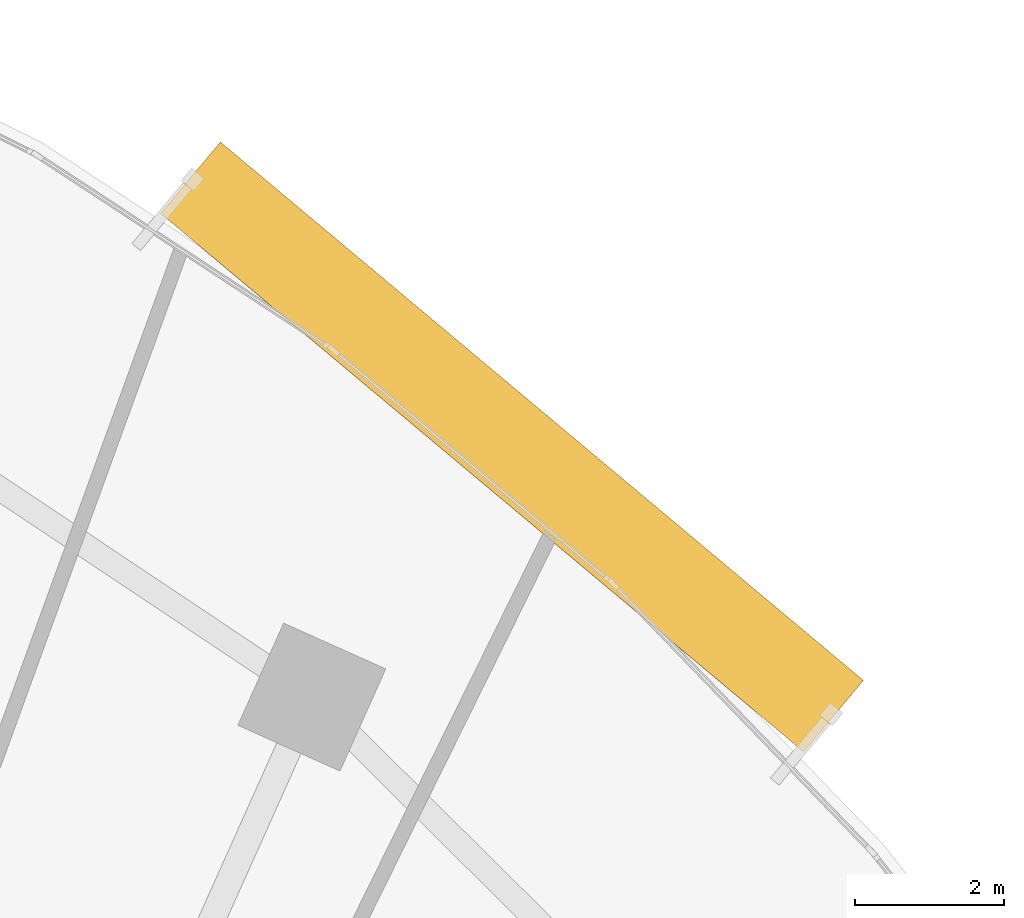
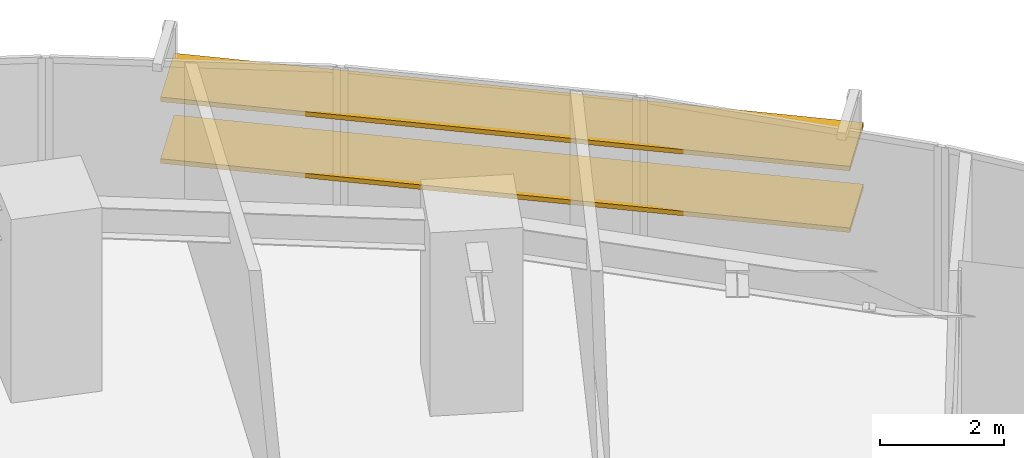
# One storey, part 18 of 18: 2 shading devices.
"""IFC4 building model written with IfcOpenShell, lengths in metres."""

from ifc_helpers import new_model, si_unit, direction, frame, origin, origin_2d, place, context, subcontext, project, spatial, rectangle, extrude, source, transform, mapped, material, material_profile, profile_set, type_object, element, save


model = new_model("IFC4")

# Units and contexts
model_context = context("Model", 3, precision=1e-05, world=origin(), true_north=direction((0.0, 1.0)))
body_context = subcontext(model_context, "Body", "Model", "MODEL_VIEW")
ifc_project = project(units=[si_unit("LENGTHUNIT", "METRE"), si_unit("AREAUNIT", "SQUARE_METRE"), si_unit("VOLUMEUNIT", "CUBIC_METRE"), si_unit("PLANEANGLEUNIT", "RADIAN"), si_unit("MASSUNIT", "GRAM", prefix="KILO")], contexts=[model_context])

# Site, building, storey
site_placement = place(None, origin())
site = spatial("IfcSite", under=ifc_project, at=site_placement, CompositionType="ELEMENT")
building_placement = place(site_placement, origin())
building = spatial("IfcBuilding", under=site, at=building_placement, Name="Breltana Convention Tower", CompositionType="ELEMENT")
storey_placement = place(building_placement, frame((0.0, 0.0, 39.0)))
storey = spatial("IfcBuildingStorey", under=building, at=storey_placement, Name="L07", CompositionType="ELEMENT", Elevation=39.0)

# Shading devices
ifc_material = material(Name="Limestone Warm Buff Honed", Category="masonry")
ifc_material_profile = material_profile(ifc_material, rectangle(XDim=1.25, YDim=0.090087890625, at=origin_2d()), Name="STN-LVR-1250X90")
ifc_profile_set = profile_set([ifc_material_profile], Name="Limestone Warm Buff Honed")
shading_device_type = type_object("IfcShadingDeviceType", Name="SHD-OUTER-SKIN-LIMESTONE-1250", PredefinedType="JALOUSIE", material=ifc_profile_set)
shared_shape = source(origin(), body_context, "Body", "SweptSolid", [
    extrude(rectangle(XDim=1.25, YDim=0.090087890625, at=origin_2d()), origin(), (0.0, 0.0, 1.0), 11.246337890625),
])
for number, where, z_axis, x_axis, name in (
    (1, (67.28369140625, 75.598388671875, 1.209716796875), (0.766719155588, -0.641982660556, 0.0), (0.641982660556, 0.766719155588, 0.0), "L07 outer skin warm limestone louvre 2.1"),
    (2, (67.28369140625, 75.598388671875, 2.419189453125), (0.766719155588, -0.641982660556, 0.0), (0.641982660556, 0.766719155588, 0.0), "L07 outer skin warm limestone louvre 2.2"),
):
    element("IfcShadingDevice", number, at=place(storey_placement, frame(where, z_axis=z_axis, x_axis=x_axis)), inside=storey, type_object=shading_device_type, Name=name, PredefinedType="JALOUSIE", context=body_context, shape_type="MappedRepresentation", body=[
        mapped(shared_shape, transform((0.0, 0.0, 0.0), scale=1.0)),
    ])

save(model, "model.ifc")
